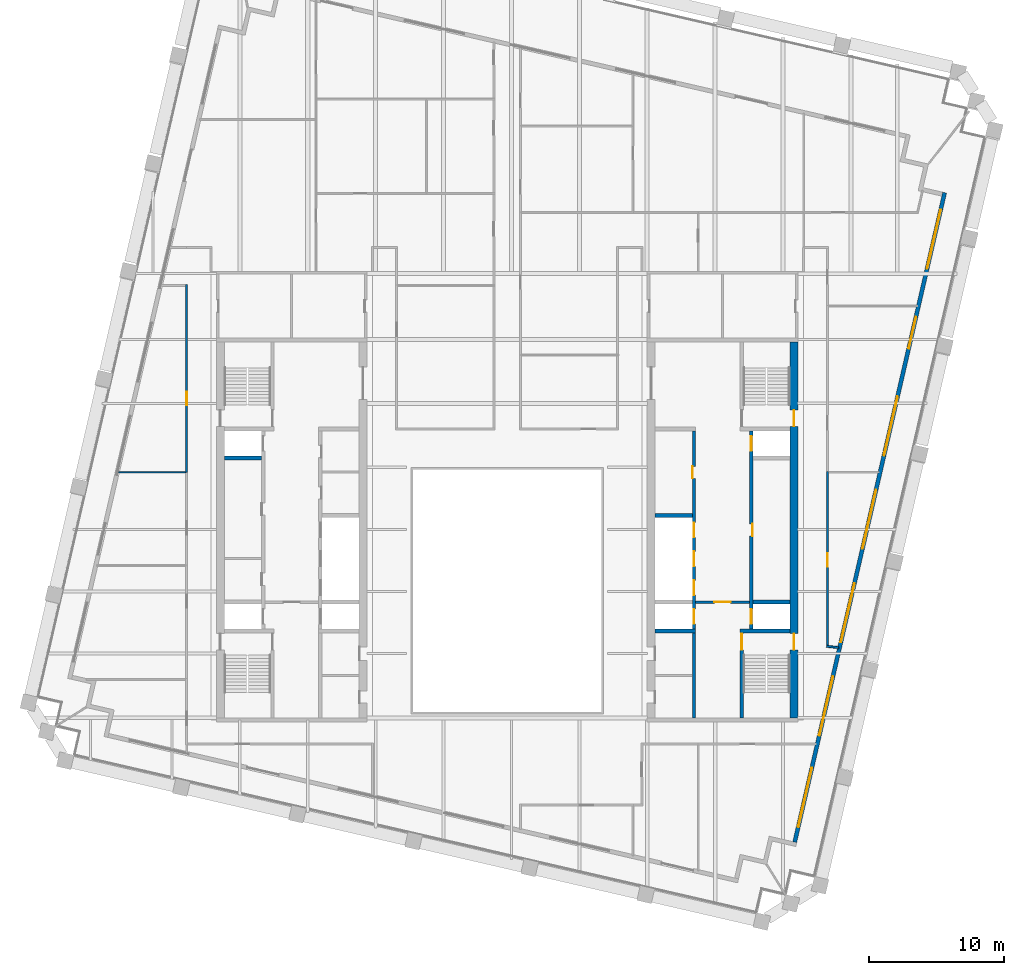
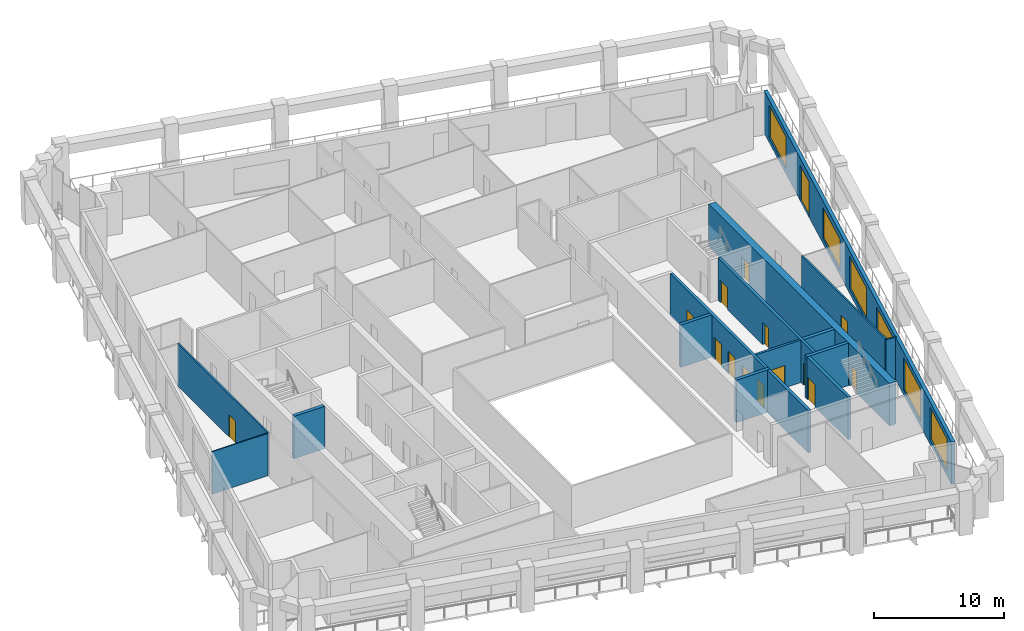
# One storey, part 5 of 10: 15 doors, 15 walls, 6 windows, 21 openings.
"""IFC4 building model written with IfcOpenShell, lengths in metres."""

from ifc_helpers import new_model, si_unit, direction, frame, frame_2d, origin, place, context, subcontext, project, spatial, rectangle, extrude, material, layer, layer_set, type_object, element, fill, save


model = new_model("IFC4")

# Units and contexts
model_context = context("Model", 3, precision=1e-05, world=origin(), true_north=direction((0.0, 1.0)))
body_context = subcontext(model_context, "Body", "Model", "MODEL_VIEW")
ifc_project = project(units=[si_unit("LENGTHUNIT", "METRE"), si_unit("AREAUNIT", "SQUARE_METRE"), si_unit("VOLUMEUNIT", "CUBIC_METRE"), si_unit("PLANEANGLEUNIT", "RADIAN"), si_unit("MASSUNIT", "GRAM", prefix="KILO")], contexts=[model_context])

# Site, building, storey
site_placement = place(None, origin())
site = spatial("IfcSite", under=ifc_project, at=site_placement, CompositionType="ELEMENT")
building_placement = place(site_placement, origin())
building = spatial("IfcBuilding", under=site, at=building_placement, Name="Ogive Exchange Tower", CompositionType="ELEMENT")
storey_placement = place(building_placement, frame((0.0, 0.0, 268.199951171875)))
storey = spatial("IfcBuildingStorey", under=building, at=storey_placement, Name="L58", CompositionType="ELEMENT", Elevation=268.199951171875)

# Wall, opening, door
ifc_material_1 = material(Name="Fire partition EI 60 150")
ifc_layer_1 = layer(ifc_material_1, 0.14990234375)
ifc_layer_set_1 = layer_set([ifc_layer_1], Name="Fire partition EI 60 150")
wall_type_1 = type_object("IfcWallType", Name="Fire partition EI 60 150", PredefinedType="PARTITIONING", material=ifc_layer_set_1)
wall_1_placement = place(storey_placement, frame((-23.800048828125, 15.7900390625, 0.0), z_axis=(0.0, 0.0, 1.0), x_axis=(0.0, 1.0, 0.0)))
wall_1 = element("IfcWall", 1, at=wall_1_placement, inside=storey, type_object=wall_type_1, Name="L58-PWL-008", PredefinedType="PARTITIONING", context=body_context, shape_type="SweptSolid", body=[
    extrude(rectangle(XDim=13.945068359375, YDim=0.14990234375, at=frame_2d((6.97265625, 0.0))), origin(), (0.0, 0.0, 1.0), 4.0),
])
opening_1_placement = place(wall_1_placement, frame((4.969970703125, 0.0, 0.0)))
opening_1 = element("IfcOpeningElement", 2, at=opening_1_placement, cuts=wall_1, Name="Opening L58-I22", PredefinedType="OPENING", context=body_context, shape_type="SweptSolid", body=[
    extrude(rectangle(XDim=1.0, YDim=2.10009765625, at=frame_2d((0.5, 1.050048828125))), frame((0.0, 0.0849609375, 0.0), z_axis=(0.0, -1.0, 0.0), x_axis=(1.0, 0.0, 0.0)), (0.0, 0.0, 1.0), 0.169921875),
])
ifc_material_2 = material(Name="Fire door FD 30S 1000 x 2100")
door_type_1 = type_object("IfcDoorType", Name="Fire door FD 30S 1000 x 2100", OperationType="NOTDEFINED", PredefinedType="DOOR", material=ifc_material_2)
door_1_placement = place(opening_1_placement, origin())
door_1 = element("IfcDoor", 3, at=door_1_placement, inside=storey, type_object=door_type_1, Name="L58-IDR-022", ObjectType="DT3", OperationType="SINGLE_SWING_LEFT", OverallHeight=2.10009765625, OverallWidth=1.0, PredefinedType="DOOR", context=body_context, shape_type="SweptSolid", body=[
    extrude(rectangle(XDim=1.0, YDim=2.10009765625, at=frame_2d((0.5, 1.050048828125))), frame((0.0, 0.02490234375, 0.0), z_axis=(0.0, -1.0, 0.0), x_axis=(1.0, 0.0, 0.0)), (0.0, 0.0, 1.0), 0.050048828125),
])
fill(opening_1, door_1)

# Wall
wall_2_placement = place(storey_placement, frame((23.72509765625, 2.868896484375, 0.0), z_axis=(0.0, 0.0, 1.0), x_axis=(0.993330469257, -0.115302119865, 0.0)))
element("IfcWall", 4, at=wall_2_placement, inside=storey, type_object=wall_type_1, Name="L58-PWL-065", PredefinedType="PARTITIONING", context=body_context, shape_type="SweptSolid", body=[
    extrude(rectangle(XDim=0.902099609375, YDim=0.14990234375, at=frame_2d((0.451171875, 0.0))), origin(), (0.0, 0.0, 1.0), 4.0),
])

# Wall, opening, door
wall_3_placement = place(storey_placement, frame((23.800048828125, 15.840087890625, 0.0), z_axis=(0.0, 0.0, 1.0), x_axis=(0.0, -1.0, 0.0)))
wall_3 = element("IfcWall", 5, at=wall_3_placement, inside=storey, type_object=wall_type_1, Name="L58-PWL-066", PredefinedType="PARTITIONING", context=body_context, shape_type="SweptSolid", body=[
    extrude(rectangle(XDim=12.905029296875, YDim=0.14990234375, at=frame_2d((6.45263671875, 0.0))), origin(), (0.0, 0.0, 1.0), 4.0),
])
opening_2_placement = place(wall_3_placement, frame((6.080078125, 0.0, 0.0)))
opening_2 = element("IfcOpeningElement", 6, at=opening_2_placement, cuts=wall_3, Name="Opening L58-I10", PredefinedType="OPENING", context=body_context, shape_type="SweptSolid", body=[
    extrude(rectangle(XDim=1.0, YDim=2.10009765625, at=frame_2d((0.5, 1.050048828125))), frame((0.0, 0.0849609375, 0.0), z_axis=(0.0, -1.0, 0.0), x_axis=(1.0, 0.0, 0.0)), (0.0, 0.0, 1.0), 0.169921875),
])
door_2_placement = place(opening_2_placement, origin())
door_2 = element("IfcDoor", 7, at=door_2_placement, inside=storey, type_object=door_type_1, Name="L58-IDR-010", ObjectType="DT3", OperationType="SINGLE_SWING_RIGHT", OverallHeight=2.10009765625, OverallWidth=1.0, PredefinedType="DOOR", context=body_context, shape_type="SweptSolid", body=[
    extrude(rectangle(XDim=1.0, YDim=2.10009765625, at=frame_2d((0.5, 1.050048828125))), frame((0.0, 0.02490234375, 0.0), z_axis=(0.0, -1.0, 0.0), x_axis=(1.0, 0.0, 0.0)), (0.0, 0.0, 1.0), 0.050048828125),
])
fill(opening_2, door_2)

# Wall, openings, door, windows
ifc_material_3 = material(Name="Precast concrete C40/50", Category="concrete")
ifc_layer_2 = layer(ifc_material_3, 0.300048828125)
ifc_layer_set_2 = layer_set([ifc_layer_2], Name="Limestone-faced wall 300")
wall_type_2 = type_object("IfcWallType", Name="Limestone-faced wall 300", PredefinedType="STANDARD", material=ifc_layer_set_2)
wall_4_placement = place(storey_placement, frame((21.35888671875, -11.67822265625, 0.0), z_axis=(0.0, 0.0, 1.0), x_axis=(0.224949198343, 0.974370493275, 0.0)))
wall_4 = element("IfcWall", 8, at=wall_4_placement, inside=storey, type_object=wall_type_2, Name="External wall E2", PredefinedType="STANDARD", context=body_context, shape_type="SweptSolid", body=[
    extrude(rectangle(XDim=49.5, YDim=0.300048828125, at=frame_2d((24.75, 0.0))), origin(), (0.0, 0.0, 1.0), 4.0),
])
opening_3_placement = place(wall_4_placement, frame((1.156982421875, 0.0, 0.449951171875)))
opening_3 = element("IfcOpeningElement", 9, at=opening_3_placement, cuts=wall_4, Name="Opening W1", PredefinedType="OPENING", context=body_context, shape_type="SweptSolid", body=[
    extrude(rectangle(XDim=4.5, YDim=3.050048828125, at=frame_2d((2.25, 1.52490234375))), frame((0.0, 0.159912109375, 0.0), z_axis=(0.0, -1.0, 0.0), x_axis=(1.0, 0.0, 0.0)), (0.0, 0.0, 1.0), 0.320068359375),
])
opening_4_placement = place(wall_4_placement, frame((8.121337890625, 0.0, 0.449951171875)))
opening_4 = element("IfcOpeningElement", 10, at=opening_4_placement, cuts=wall_4, Name="Opening W1", PredefinedType="OPENING", context=body_context, shape_type="SweptSolid", body=[
    extrude(rectangle(XDim=4.5, YDim=3.050048828125, at=frame_2d((2.25, 1.52490234375))), frame((0.0, 0.159912109375, 0.0), z_axis=(0.0, -1.0, 0.0), x_axis=(1.0, 0.0, 0.0)), (0.0, 0.0, 1.0), 0.320068359375),
])
opening_5_placement = place(wall_4_placement, frame((15.235595703125, 0.0, 0.449951171875)))
opening_5 = element("IfcOpeningElement", 11, at=opening_5_placement, cuts=wall_4, Name="Opening W1", PredefinedType="OPENING", context=body_context, shape_type="SweptSolid", body=[
    extrude(rectangle(XDim=4.5, YDim=3.050048828125, at=frame_2d((2.25, 1.52490234375))), frame((0.0, 0.159912109375, 0.0), z_axis=(0.0, -1.0, 0.0), x_axis=(1.0, 0.0, 0.0)), (0.0, 0.0, 1.0), 0.320068359375),
])
opening_6_placement = place(wall_4_placement, frame((22.35009765625, 0.0, 0.449951171875)))
opening_6 = element("IfcOpeningElement", 12, at=opening_6_placement, cuts=wall_4, Name="Opening W1", PredefinedType="OPENING", context=body_context, shape_type="SweptSolid", body=[
    extrude(rectangle(XDim=4.5, YDim=3.050048828125, at=frame_2d((2.25, 1.52490234375))), frame((0.0, 0.159912109375, 0.0), z_axis=(0.0, -1.0, 0.0), x_axis=(1.0, 0.0, 0.0)), (0.0, 0.0, 1.0), 0.320068359375),
])
opening_7_placement = place(wall_4_placement, frame((29.464111328125, 0.0, 0.449951171875)))
opening_7 = element("IfcOpeningElement", 13, at=opening_7_placement, cuts=wall_4, Name="Opening W1B", PredefinedType="OPENING", context=body_context, shape_type="SweptSolid", body=[
    extrude(rectangle(XDim=4.5, YDim=2.949951171875, at=frame_2d((2.25, 1.47509765625))), frame((0.0, 0.159912109375, 0.0), z_axis=(0.0, -1.0, 0.0), x_axis=(1.0, 0.0, 0.0)), (0.0, 0.0, 1.0), 0.320068359375),
])
opening_8_placement = place(wall_4_placement, frame((37.62841796875, 0.0, 0.0)))
opening_8 = element("IfcOpeningElement", 14, at=opening_8_placement, cuts=wall_4, Name="Opening D1C", PredefinedType="OPENING", context=body_context, shape_type="SweptSolid", body=[
    extrude(rectangle(XDim=2.39990234375, YDim=3.324951171875, at=frame_2d((1.199951171875, 1.66259765625))), frame((0.0, 0.159912109375, 0.0), z_axis=(0.0, -1.0, 0.0), x_axis=(1.0, 0.0, 0.0)), (0.0, 0.0, 1.0), 0.320068359375),
])
opening_9_placement = place(wall_4_placement, frame((43.69287109375, 0.0, 0.449951171875)))
opening_9 = element("IfcOpeningElement", 15, at=opening_9_placement, cuts=wall_4, Name="Opening W1", PredefinedType="OPENING", context=body_context, shape_type="SweptSolid", body=[
    extrude(rectangle(XDim=4.5, YDim=3.050048828125, at=frame_2d((2.25, 1.52490234375))), frame((0.0, 0.159912109375, 0.0), z_axis=(0.0, -1.0, 0.0), x_axis=(1.0, 0.0, 0.0)), (0.0, 0.0, 1.0), 0.320068359375),
])
ifc_material_4 = material(Name="Clear glass in bronze frame", Category="glass")
door_type_2 = type_object("IfcDoorType", Name="Sliding loggia door 2400 x 3325", OperationType="DOUBLE_DOOR_SLIDING", PredefinedType="DOOR", material=ifc_material_4)
door_3_placement = place(opening_8_placement, origin())
door_3 = element("IfcDoor", 16, at=door_3_placement, inside=storey, type_object=door_type_2, Name="Loggia door E05", OperationType="DOUBLE_DOOR_SLIDING", OverallHeight=3.324951171875, OverallWidth=2.39990234375, PredefinedType="DOOR", context=body_context, shape_type="SweptSolid", body=[
    extrude(rectangle(XDim=2.39990234375, YDim=3.324951171875, at=frame_2d((1.199951171875, 1.66259765625))), frame((0.0, 0.02490234375, 0.0), z_axis=(0.0, -1.0, 0.0), x_axis=(1.0, 0.0, 0.0)), (0.0, 0.0, 1.0), 0.050048828125),
])
fill(opening_8, door_3)
window_type_1 = type_object("IfcWindowType", Name="Twin lancet window 4500 x 2950", PartitioningType="DOUBLE_PANEL_VERTICAL", PredefinedType="WINDOW", material=ifc_material_4)
window_1_placement = place(opening_7_placement, origin())
window_1 = element("IfcWindow", 17, at=window_1_placement, inside=storey, type_object=window_type_1, Name="Window E04", OverallHeight=2.949951171875, OverallWidth=4.5, PartitioningType="DOUBLE_PANEL_VERTICAL", PredefinedType="WINDOW", context=body_context, shape_type="SweptSolid", body=[
    extrude(rectangle(XDim=4.5, YDim=2.949951171875, at=frame_2d((2.25, 1.47509765625))), frame((0.0, 0.030029296875, 0.0), z_axis=(0.0, -1.0, 0.0), x_axis=(1.0, 0.0, 0.0)), (0.0, 0.0, 1.0), 0.06005859375),
])
fill(opening_7, window_1)
window_type_2 = type_object("IfcWindowType", Name="Twin lancet window 4500 x 3050", PartitioningType="DOUBLE_PANEL_VERTICAL", PredefinedType="WINDOW", material=ifc_material_4)
window_2_placement = place(opening_3_placement, origin())
window_2 = element("IfcWindow", 18, at=window_2_placement, inside=storey, type_object=window_type_2, Name="Window E00", OverallHeight=3.050048828125, OverallWidth=4.5, PartitioningType="DOUBLE_PANEL_VERTICAL", PredefinedType="WINDOW", context=body_context, shape_type="SweptSolid", body=[
    extrude(rectangle(XDim=4.5, YDim=3.050048828125, at=frame_2d((2.25, 1.52490234375))), frame((0.0, 0.030029296875, 0.0), z_axis=(0.0, -1.0, 0.0), x_axis=(1.0, 0.0, 0.0)), (0.0, 0.0, 1.0), 0.06005859375),
])
fill(opening_3, window_2)
window_3_placement = place(opening_4_placement, origin())
window_3 = element("IfcWindow", 19, at=window_3_placement, inside=storey, type_object=window_type_2, Name="Window E01", OverallHeight=3.050048828125, OverallWidth=4.5, PartitioningType="DOUBLE_PANEL_VERTICAL", PredefinedType="WINDOW", context=body_context, shape_type="SweptSolid", body=[
    extrude(rectangle(XDim=4.5, YDim=3.050048828125, at=frame_2d((2.25, 1.52490234375))), frame((0.0, 0.030029296875, 0.0), z_axis=(0.0, -1.0, 0.0), x_axis=(1.0, 0.0, 0.0)), (0.0, 0.0, 1.0), 0.06005859375),
])
fill(opening_4, window_3)
window_4_placement = place(opening_5_placement, origin())
window_4 = element("IfcWindow", 20, at=window_4_placement, inside=storey, type_object=window_type_2, Name="Window E02", OverallHeight=3.050048828125, OverallWidth=4.5, PartitioningType="DOUBLE_PANEL_VERTICAL", PredefinedType="WINDOW", context=body_context, shape_type="SweptSolid", body=[
    extrude(rectangle(XDim=4.5, YDim=3.050048828125, at=frame_2d((2.25, 1.52490234375))), frame((0.0, 0.030029296875, 0.0), z_axis=(0.0, -1.0, 0.0), x_axis=(1.0, 0.0, 0.0)), (0.0, 0.0, 1.0), 0.06005859375),
])
fill(opening_5, window_4)
window_5_placement = place(opening_6_placement, origin())
window_5 = element("IfcWindow", 21, at=window_5_placement, inside=storey, type_object=window_type_2, Name="Window E03", OverallHeight=3.050048828125, OverallWidth=4.5, PartitioningType="DOUBLE_PANEL_VERTICAL", PredefinedType="WINDOW", context=body_context, shape_type="SweptSolid", body=[
    extrude(rectangle(XDim=4.5, YDim=3.050048828125, at=frame_2d((2.25, 1.52490234375))), frame((0.0, 0.030029296875, 0.0), z_axis=(0.0, -1.0, 0.0), x_axis=(1.0, 0.0, 0.0)), (0.0, 0.0, 1.0), 0.06005859375),
])
fill(opening_6, window_5)
window_6_placement = place(opening_9_placement, origin())
window_6 = element("IfcWindow", 22, at=window_6_placement, inside=storey, type_object=window_type_2, Name="Window E06", OverallHeight=3.050048828125, OverallWidth=4.5, PartitioningType="DOUBLE_PANEL_VERTICAL", PredefinedType="WINDOW", context=body_context, shape_type="SweptSolid", body=[
    extrude(rectangle(XDim=4.5, YDim=3.050048828125, at=frame_2d((2.25, 1.52490234375))), frame((0.0, 0.030029296875, 0.0), z_axis=(0.0, -1.0, 0.0), x_axis=(1.0, 0.0, 0.0)), (0.0, 0.0, 1.0), 0.06005859375),
])
fill(opening_9, window_6)

# Wall
ifc_material_5 = material(Name="Partition 100 gypsum")
ifc_layer_3 = layer(ifc_material_5, 0.10009765625)
ifc_layer_set_3 = layer_set([ifc_layer_3], Name="Partition 100 gypsum")
wall_type_3 = type_object("IfcWallType", Name="Partition 100 gypsum", PredefinedType="PARTITIONING", material=ifc_layer_set_3)
wall_5_placement = place(storey_placement, frame((-23.875, 15.7900390625, 0.0), z_axis=(0.0, 0.0, 1.0), x_axis=(-1.0, 0.0, 0.0)))
element("IfcWall", 23, at=wall_5_placement, inside=storey, type_object=wall_type_3, Name="L58-PWL-007", PredefinedType="PARTITIONING", context=body_context, shape_type="SweptSolid", body=[
    extrude(rectangle(XDim=5.0048828125, YDim=0.10009765625, at=frame_2d((2.50244140625, 0.0))), origin(), (0.0, 0.0, 1.0), 4.0),
])

# Wall, opening, door
ifc_material_6 = material(Name="Concrete C70/85", Category="concrete")
ifc_layer_4 = layer(ifc_material_6, 0.199951171875)
ifc_layer_set_4 = layer_set([ifc_layer_4], Name="RC core wall 200 C70/85")
wall_type_4 = type_object("IfcWallType", Name="RC core wall 200 C70/85", PredefinedType="SHEAR", material=ifc_layer_set_4)
wall_6_placement = place(storey_placement, frame((14.0, 6.142822265625, 0.0), z_axis=(0.0, 0.0, 1.0), x_axis=(1.0, 0.0, 0.0)))
wall_6 = element("IfcWall", 24, at=wall_6_placement, inside=storey, type_object=wall_type_4, Name="E firefighting lobby wall", PredefinedType="SHEAR", context=body_context, shape_type="SweptSolid", body=[
    extrude(rectangle(XDim=4.0, YDim=0.199951171875, at=frame_2d((2.0, 0.0))), origin(), (0.0, 0.0, 1.0), 4.0),
])
opening_10_placement = place(wall_6_placement, frame((1.39990234375, 0.0, 0.0)))
opening_10 = element("IfcOpeningElement", 25, at=opening_10_placement, cuts=wall_6, Name="Opening L58-C29", PredefinedType="OPENING", context=body_context, shape_type="SweptSolid", body=[
    extrude(rectangle(XDim=1.199951171875, YDim=2.10009765625, at=frame_2d((0.60009765625, 1.050048828125))), frame((0.0, 0.10986328125, 0.0), z_axis=(0.0, -1.0, 0.0), x_axis=(1.0, 0.0, 0.0)), (0.0, 0.0, 1.0), 0.219970703125),
])
ifc_material_7 = material(Name="Steel fire door", Category="steel")
door_type_3 = type_object("IfcDoorType", Name="Firefighting lobby door FD60 1200 x 2100", OperationType="NOTDEFINED", PredefinedType="DOOR", material=ifc_material_7)
door_4_placement = place(opening_10_placement, frame((1.199951171875, 0.0, 0.0), z_axis=(0.0, 0.0, 1.0), x_axis=(-1.0, 0.0, 0.0)))
door_4 = element("IfcDoor", 26, at=door_4_placement, inside=storey, type_object=door_type_3, Name="Firefighting lobby door", ObjectType="CD3", OperationType="SINGLE_SWING_RIGHT", OverallHeight=2.10009765625, OverallWidth=1.199951171875, PredefinedType="DOOR", context=body_context, shape_type="SweptSolid", body=[
    extrude(rectangle(XDim=1.199951171875, YDim=2.10009765625, at=frame_2d((0.60009765625, 1.050048828125))), frame((0.0, 0.02490234375, 0.0), z_axis=(0.0, -1.0, 0.0), x_axis=(1.0, 0.0, 0.0)), (0.0, 0.0, 1.0), 0.050048828125),
])
fill(opening_10, door_4)

ifc_layer_5 = layer(ifc_material_6, 0.25)
ifc_layer_set_5 = layer_set([ifc_layer_5], Name="RC core wall 250 C70/85")
wall_type_5 = type_object("IfcWallType", Name="RC core wall 250 C70/85", PredefinedType="SHEAR", material=ifc_layer_set_5)
wall_7_placement = place(storey_placement, frame((17.425048828125, -2.449951171875, 0.0), z_axis=(0.0, 0.0, 1.0), x_axis=(0.0, 1.0, 0.0)))
wall_7 = element("IfcWall", 27, at=wall_7_placement, inside=storey, type_object=wall_type_5, Name="E stair S front wall", PredefinedType="SHEAR", context=body_context, shape_type="SweptSolid", body=[
    extrude(rectangle(XDim=6.300048828125, YDim=0.25, at=frame_2d((3.14990234375, 0.0))), origin(), (0.0, 0.0, 1.0), 4.0),
])
opening_11_placement = place(wall_7_placement, frame((5.050048828125, 0.0, 0.0)))
opening_11 = element("IfcOpeningElement", 28, at=opening_11_placement, cuts=wall_7, Name="Opening L58-C31", PredefinedType="OPENING", context=body_context, shape_type="SweptSolid", body=[
    extrude(rectangle(XDim=1.199951171875, YDim=2.10009765625, at=frame_2d((0.60009765625, 1.050048828125))), frame((0.0, 0.135009765625, 0.0), z_axis=(0.0, -1.0, 0.0), x_axis=(1.0, 0.0, 0.0)), (0.0, 0.0, 1.0), 0.27001953125),
])
door_type_4 = type_object("IfcDoorType", Name="Stair door FD90 1200 x 2100", OperationType="NOTDEFINED", PredefinedType="DOOR", material=ifc_material_7)
door_5_placement = place(opening_11_placement, frame((1.199951171875, 0.0, 0.0), z_axis=(0.0, 0.0, 1.0), x_axis=(-1.0, 0.0, 0.0)))
door_5 = element("IfcDoor", 29, at=door_5_placement, inside=storey, type_object=door_type_4, Name="Stair door", ObjectType="CD5", OperationType="SINGLE_SWING_RIGHT", OverallHeight=2.10009765625, OverallWidth=1.199951171875, PredefinedType="DOOR", context=body_context, shape_type="SweptSolid", body=[
    extrude(rectangle(XDim=1.199951171875, YDim=2.10009765625, at=frame_2d((0.60009765625, 1.050048828125))), frame((0.0, 0.02490234375, 0.0), z_axis=(0.0, -1.0, 0.0), x_axis=(1.0, 0.0, 0.0)), (0.0, 0.0, 1.0), 0.050048828125),
])
fill(opening_11, door_5)

# Wall, openings, doors
wall_8_placement = place(storey_placement, frame((18.125, 4.14990234375, 0.0), z_axis=(0.0, 0.0, 1.0), x_axis=(0.0, 1.0, 0.0)))
wall_8 = element("IfcWall", 30, at=wall_8_placement, inside=storey, type_object=wall_type_5, Name="E row A front wall", PredefinedType="SHEAR", context=body_context, shape_type="SweptSolid", body=[
    extrude(rectangle(XDim=14.7001953125, YDim=0.25, at=frame_2d((7.35009765625, 0.0))), origin(), (0.0, 0.0, 1.0), 4.0),
])
opening_12_placement = place(wall_8_placement, frame((6.89990234375, 0.0, 0.0)))
opening_12 = element("IfcOpeningElement", 31, at=opening_12_placement, cuts=wall_8, Name="Opening L58-C21", PredefinedType="OPENING", context=body_context, shape_type="SweptSolid", body=[
    extrude(rectangle(XDim=0.89990234375, YDim=2.10009765625, at=frame_2d((0.449951171875, 1.050048828125))), frame((0.0, 0.135009765625, 0.0), z_axis=(0.0, -1.0, 0.0), x_axis=(1.0, 0.0, 0.0)), (0.0, 0.0, 1.0), 0.27001953125),
])
opening_13_placement = place(wall_8_placement, frame((0.371337890625, 0.0, 0.0)))
opening_13 = element("IfcOpeningElement", 32, at=opening_13_placement, cuts=wall_8, Name="Opening L58-C22", PredefinedType="OPENING", context=body_context, shape_type="SweptSolid", body=[
    extrude(rectangle(XDim=1.10009765625, YDim=2.10009765625, at=frame_2d((0.550048828125, 1.050048828125))), frame((0.0, 0.135009765625, 0.0), z_axis=(0.0, -1.0, 0.0), x_axis=(1.0, 0.0, 0.0)), (0.0, 0.0, 1.0), 0.27001953125),
])
opening_14_placement = place(wall_8_placement, frame((13.228515625, 0.0, 0.0)))
opening_14 = element("IfcOpeningElement", 33, at=opening_14_placement, cuts=wall_8, Name="Opening L58-C23", PredefinedType="OPENING", context=body_context, shape_type="SweptSolid", body=[
    extrude(rectangle(XDim=1.10009765625, YDim=2.10009765625, at=frame_2d((0.550048828125, 1.050048828125))), frame((0.0, 0.135009765625, 0.0), z_axis=(0.0, -1.0, 0.0), x_axis=(1.0, 0.0, 0.0)), (0.0, 0.0, 1.0), 0.27001953125),
])
ifc_material_8 = material(Name="Stainless steel", Category="steel")
door_type_5 = type_object("IfcDoorType", Name="Lift landing door FD90 1100 x 2100", OperationType="SLIDING_TO_LEFT", PredefinedType="DOOR", material=ifc_material_8)
door_6_placement = place(opening_13_placement, origin())
door_6 = element("IfcDoor", 34, at=door_6_placement, inside=storey, type_object=door_type_5, Name="Lift landing door FF2", ObjectType="LD", OperationType="SLIDING_TO_LEFT", OverallHeight=2.10009765625, OverallWidth=1.10009765625, PredefinedType="DOOR", context=body_context, shape_type="SweptSolid", body=[
    extrude(rectangle(XDim=1.10009765625, YDim=2.10009765625, at=frame_2d((0.550048828125, 1.050048828125))), frame((0.0, 0.02490234375, 0.0), z_axis=(0.0, -1.0, 0.0), x_axis=(1.0, 0.0, 0.0)), (0.0, 0.0, 1.0), 0.050048828125),
])
fill(opening_13, door_6)
door_7_placement = place(opening_14_placement, origin())
door_7 = element("IfcDoor", 35, at=door_7_placement, inside=storey, type_object=door_type_5, Name="Lift landing door E-SH2", ObjectType="LD", OperationType="SLIDING_TO_LEFT", OverallHeight=2.10009765625, OverallWidth=1.10009765625, PredefinedType="DOOR", context=body_context, shape_type="SweptSolid", body=[
    extrude(rectangle(XDim=1.10009765625, YDim=2.10009765625, at=frame_2d((0.550048828125, 1.050048828125))), frame((0.0, 0.02490234375, 0.0), z_axis=(0.0, -1.0, 0.0), x_axis=(1.0, 0.0, 0.0)), (0.0, 0.0, 1.0), 0.050048828125),
])
fill(opening_14, door_7)
door_type_6 = type_object("IfcDoorType", Name="Riser door FD60 900 x 2100", OperationType="NOTDEFINED", PredefinedType="DOOR", material=ifc_material_7)
door_8_placement = place(opening_12_placement, frame((0.89990234375, -0.2001953125, 0.0), z_axis=(0.0, 0.0, 1.0), x_axis=(-1.0, 0.0, 0.0)))
door_8 = element("IfcDoor", 36, at=door_8_placement, inside=storey, type_object=door_type_6, Name="Riser door", ObjectType="CD2", OperationType="SINGLE_SWING_RIGHT", OverallHeight=2.10009765625, OverallWidth=0.89990234375, PredefinedType="DOOR", context=body_context, shape_type="SweptSolid", body=[
    extrude(rectangle(XDim=0.89990234375, YDim=2.10009765625, at=frame_2d((0.449951171875, 1.050048828125))), frame((0.0, -0.0751953125, 0.0), z_axis=(0.0, -1.0, 0.0), x_axis=(1.0, 0.0, 0.0)), (0.0, 0.0, 1.0), 0.050048828125),
])
fill(opening_12, door_8)

wall_9_placement = place(storey_placement, frame((13.875, -2.449951171875, 0.0), z_axis=(0.0, 0.0, 1.0), x_axis=(0.0, 1.0, 0.0)))
wall_9 = element("IfcWall", 37, at=wall_9_placement, inside=storey, type_object=wall_type_5, Name="E row B front wall", PredefinedType="SHEAR", context=body_context, shape_type="SweptSolid", body=[
    extrude(rectangle(XDim=21.300048828125, YDim=0.25, at=frame_2d((10.64990234375, 0.0))), origin(), (0.0, 0.0, 1.0), 4.0),
])
opening_15_placement = place(wall_9_placement, frame((17.78564453125, 0.0, 0.0)))
opening_15 = element("IfcOpeningElement", 38, at=opening_15_placement, cuts=wall_9, Name="Opening L58-C24", PredefinedType="OPENING", context=body_context, shape_type="SweptSolid", body=[
    extrude(rectangle(XDim=0.89990234375, YDim=2.10009765625, at=frame_2d((0.449951171875, 1.050048828125))), frame((0.0, 0.135009765625, 0.0), z_axis=(0.0, -1.0, 0.0), x_axis=(1.0, 0.0, 0.0)), (0.0, 0.0, 1.0), 0.27001953125),
])
opening_16_placement = place(wall_9_placement, frame((6.971435546875, 0.0, 0.0)))
opening_16 = element("IfcOpeningElement", 39, at=opening_16_placement, cuts=wall_9, Name="Opening L58-C25", PredefinedType="OPENING", context=body_context, shape_type="SweptSolid", body=[
    extrude(rectangle(XDim=1.10009765625, YDim=2.10009765625, at=frame_2d((0.550048828125, 1.050048828125))), frame((0.0, 0.135009765625, 0.0), z_axis=(0.0, -1.0, 0.0), x_axis=(1.0, 0.0, 0.0)), (0.0, 0.0, 1.0), 0.27001953125),
])
opening_17_placement = place(wall_9_placement, frame((9.1142578125, 0.0, 0.0)))
opening_17 = element("IfcOpeningElement", 40, at=opening_17_placement, cuts=wall_9, Name="Opening L58-C26", PredefinedType="OPENING", context=body_context, shape_type="SweptSolid", body=[
    extrude(rectangle(XDim=1.10009765625, YDim=2.10009765625, at=frame_2d((0.550048828125, 1.050048828125))), frame((0.0, 0.135009765625, 0.0), z_axis=(0.0, -1.0, 0.0), x_axis=(1.0, 0.0, 0.0)), (0.0, 0.0, 1.0), 0.27001953125),
])
opening_18_placement = place(wall_9_placement, frame((11.257080078125, 0.0, 0.0)))
opening_18 = element("IfcOpeningElement", 41, at=opening_18_placement, cuts=wall_9, Name="Opening L58-C27", PredefinedType="OPENING", context=body_context, shape_type="SweptSolid", body=[
    extrude(rectangle(XDim=1.10009765625, YDim=2.10009765625, at=frame_2d((0.550048828125, 1.050048828125))), frame((0.0, 0.135009765625, 0.0), z_axis=(0.0, -1.0, 0.0), x_axis=(1.0, 0.0, 0.0)), (0.0, 0.0, 1.0), 0.27001953125),
])
opening_19_placement = place(wall_9_placement, frame((13.39990234375, 0.0, 0.0)))
opening_19 = element("IfcOpeningElement", 42, at=opening_19_placement, cuts=wall_9, Name="Opening L58-C28", PredefinedType="OPENING", context=body_context, shape_type="SweptSolid", body=[
    extrude(rectangle(XDim=1.10009765625, YDim=2.10009765625, at=frame_2d((0.550048828125, 1.050048828125))), frame((0.0, 0.135009765625, 0.0), z_axis=(0.0, -1.0, 0.0), x_axis=(1.0, 0.0, 0.0)), (0.0, 0.0, 1.0), 0.27001953125),
])
door_9_placement = place(opening_16_placement, origin())
door_9 = element("IfcDoor", 43, at=door_9_placement, inside=storey, type_object=door_type_5, Name="Lift landing door SV2", ObjectType="LD", OperationType="SLIDING_TO_LEFT", OverallHeight=2.10009765625, OverallWidth=1.10009765625, PredefinedType="DOOR", context=body_context, shape_type="SweptSolid", body=[
    extrude(rectangle(XDim=1.10009765625, YDim=2.10009765625, at=frame_2d((0.550048828125, 1.050048828125))), frame((0.0, 0.02490234375, 0.0), z_axis=(0.0, -1.0, 0.0), x_axis=(1.0, 0.0, 0.0)), (0.0, 0.0, 1.0), 0.050048828125),
])
fill(opening_16, door_9)
door_10_placement = place(opening_17_placement, origin())
door_10 = element("IfcDoor", 44, at=door_10_placement, inside=storey, type_object=door_type_5, Name="Lift landing door E-M1", ObjectType="LD", OperationType="SLIDING_TO_LEFT", OverallHeight=2.10009765625, OverallWidth=1.10009765625, PredefinedType="DOOR", context=body_context, shape_type="SweptSolid", body=[
    extrude(rectangle(XDim=1.10009765625, YDim=2.10009765625, at=frame_2d((0.550048828125, 1.050048828125))), frame((0.0, 0.02490234375, 0.0), z_axis=(0.0, -1.0, 0.0), x_axis=(1.0, 0.0, 0.0)), (0.0, 0.0, 1.0), 0.050048828125),
])
fill(opening_17, door_10)
door_11_placement = place(opening_18_placement, origin())
door_11 = element("IfcDoor", 45, at=door_11_placement, inside=storey, type_object=door_type_5, Name="Lift landing door E-M2", ObjectType="LD", OperationType="SLIDING_TO_LEFT", OverallHeight=2.10009765625, OverallWidth=1.10009765625, PredefinedType="DOOR", context=body_context, shape_type="SweptSolid", body=[
    extrude(rectangle(XDim=1.10009765625, YDim=2.10009765625, at=frame_2d((0.550048828125, 1.050048828125))), frame((0.0, 0.02490234375, 0.0), z_axis=(0.0, -1.0, 0.0), x_axis=(1.0, 0.0, 0.0)), (0.0, 0.0, 1.0), 0.050048828125),
])
fill(opening_18, door_11)
door_12_placement = place(opening_19_placement, origin())
door_12 = element("IfcDoor", 46, at=door_12_placement, inside=storey, type_object=door_type_5, Name="Lift landing door E-M3", ObjectType="LD", OperationType="SLIDING_TO_LEFT", OverallHeight=2.10009765625, OverallWidth=1.10009765625, PredefinedType="DOOR", context=body_context, shape_type="SweptSolid", body=[
    extrude(rectangle(XDim=1.10009765625, YDim=2.10009765625, at=frame_2d((0.550048828125, 1.050048828125))), frame((0.0, 0.02490234375, 0.0), z_axis=(0.0, -1.0, 0.0), x_axis=(1.0, 0.0, 0.0)), (0.0, 0.0, 1.0), 0.050048828125),
])
fill(opening_19, door_12)
door_13_placement = place(opening_15_placement, origin())
door_13 = element("IfcDoor", 47, at=door_13_placement, inside=storey, type_object=door_type_6, Name="Riser door", ObjectType="CD2", OperationType="SINGLE_SWING_RIGHT", OverallHeight=2.10009765625, OverallWidth=0.89990234375, PredefinedType="DOOR", context=body_context, shape_type="SweptSolid", body=[
    extrude(rectangle(XDim=0.89990234375, YDim=2.10009765625, at=frame_2d((0.449951171875, 1.050048828125))), frame((0.0, 0.125, 0.0), z_axis=(0.0, -1.0, 0.0), x_axis=(1.0, 0.0, 0.0)), (0.0, 0.0, 1.0), 0.050048828125),
])
fill(opening_15, door_13)

# Walls
ifc_layer_6 = layer(ifc_material_6, 0.300048828125)
ifc_layer_set_6 = layer_set([ifc_layer_6], Name="RC core wall 300 C70/85")
wall_type_6 = type_object("IfcWallType", Name="RC core wall 300 C70/85", PredefinedType="SHEAR", material=ifc_layer_set_6)
wall_10_placement = place(storey_placement, frame((-21.0, 16.857177734375, 0.0), z_axis=(0.0, 0.0, 1.0), x_axis=(1.0, 0.0, 0.0)))
element("IfcWall", 48, at=wall_10_placement, inside=storey, type_object=wall_type_6, Name="W row A divider 6", PredefinedType="SHEAR", context=body_context, shape_type="SweptSolid", body=[
    extrude(rectangle(XDim=2.75, YDim=0.300048828125, at=frame_2d((1.375, 0.0))), origin(), (0.0, 0.0, 1.0), 4.0),
])
wall_11_placement = place(storey_placement, frame((17.300048828125, 4.0, 0.0), z_axis=(0.0, 0.0, 1.0), x_axis=(1.0, 0.0, 0.0)))
element("IfcWall", 49, at=wall_11_placement, inside=storey, type_object=wall_type_6, Name="E stair S north wall", PredefinedType="SHEAR", context=body_context, shape_type="SweptSolid", body=[
    extrude(rectangle(XDim=3.699951171875, YDim=0.300048828125, at=frame_2d((1.85009765625, 0.0))), origin(), (0.0, 0.0, 1.0), 4.0),
])
wall_12_placement = place(storey_placement, frame((18.25, 6.142822265625, 0.0), z_axis=(0.0, 0.0, 1.0), x_axis=(1.0, 0.0, 0.0)))
element("IfcWall", 50, at=wall_12_placement, inside=storey, type_object=wall_type_6, Name="E row A divider 1", PredefinedType="SHEAR", context=body_context, shape_type="SweptSolid", body=[
    extrude(rectangle(XDim=2.75, YDim=0.300048828125, at=frame_2d((1.375, 0.0))), origin(), (0.0, 0.0, 1.0), 4.0),
])
wall_13_placement = place(storey_placement, frame((11.0, 4.0, 0.0), z_axis=(0.0, 0.0, 1.0), x_axis=(1.0, 0.0, 0.0)))
element("IfcWall", 51, at=wall_13_placement, inside=storey, type_object=wall_type_6, Name="E row B divider 0", PredefinedType="SHEAR", context=body_context, shape_type="SweptSolid", body=[
    extrude(rectangle(XDim=3.0, YDim=0.300048828125, at=frame_2d((1.5, 0.0))), origin(), (0.0, 0.0, 1.0), 4.0),
])
wall_14_placement = place(storey_placement, frame((11.0, 12.5712890625, 0.0), z_axis=(0.0, 0.0, 1.0), x_axis=(1.0, 0.0, 0.0)))
element("IfcWall", 52, at=wall_14_placement, inside=storey, type_object=wall_type_6, Name="E row B divider 4", PredefinedType="SHEAR", context=body_context, shape_type="SweptSolid", body=[
    extrude(rectangle(XDim=2.75, YDim=0.300048828125, at=frame_2d((1.375, 0.0))), origin(), (0.0, 0.0, 1.0), 4.0),
])

# Wall, openings, doors
ifc_layer_7 = layer(ifc_material_6, 0.60009765625)
ifc_layer_set_7 = layer_set([ifc_layer_7], Name="RC core wall 600 C70/85")
wall_type_7 = type_object("IfcWallType", Name="RC core wall 600 C70/85", PredefinedType="SHEAR", material=ifc_layer_set_7)
wall_15_placement = place(storey_placement, frame((21.300048828125, -2.449951171875, 0.0), z_axis=(0.0, 0.0, 1.0), x_axis=(0.0, 1.0, 0.0)))
wall_15 = element("IfcWall", 53, at=wall_15_placement, inside=storey, type_object=wall_type_7, Name="E outer wall", PredefinedType="SHEAR", context=body_context, shape_type="SweptSolid", body=[
    extrude(rectangle(XDim=27.89990234375, YDim=0.60009765625, at=frame_2d((13.949951171875, 0.0))), origin(), (0.0, 0.0, 1.0), 4.0),
])
opening_20_placement = place(wall_15_placement, frame((5.050048828125, 0.0, 0.0)))
opening_20 = element("IfcOpeningElement", 54, at=opening_20_placement, cuts=wall_15, Name="Opening L58-C32", PredefinedType="OPENING", context=body_context, shape_type="SweptSolid", body=[
    extrude(rectangle(XDim=1.199951171875, YDim=2.10009765625, at=frame_2d((0.60009765625, 1.050048828125))), frame((0.0, 0.31005859375, 0.0), z_axis=(0.0, -1.0, 0.0), x_axis=(1.0, 0.0, 0.0)), (0.0, 0.0, 1.0), 0.6201171875),
])
opening_21_placement = place(wall_15_placement, frame((21.64990234375, 0.0, 0.0)))
opening_21 = element("IfcOpeningElement", 55, at=opening_21_placement, cuts=wall_15, Name="Opening L58-C34", PredefinedType="OPENING", context=body_context, shape_type="SweptSolid", body=[
    extrude(rectangle(XDim=1.199951171875, YDim=2.10009765625, at=frame_2d((0.60009765625, 1.050048828125))), frame((0.0, 0.31005859375, 0.0), z_axis=(0.0, -1.0, 0.0), x_axis=(1.0, 0.0, 0.0)), (0.0, 0.0, 1.0), 0.6201171875),
])
door_14_placement = place(opening_20_placement, frame((1.199951171875, 0.0, 0.0), z_axis=(0.0, 0.0, 1.0), x_axis=(-1.0, 0.0, 0.0)))
door_14 = element("IfcDoor", 56, at=door_14_placement, inside=storey, type_object=door_type_4, Name="Stair door", ObjectType="CD5", OperationType="SINGLE_SWING_LEFT", OverallHeight=2.10009765625, OverallWidth=1.199951171875, PredefinedType="DOOR", context=body_context, shape_type="SweptSolid", body=[
    extrude(rectangle(XDim=1.199951171875, YDim=2.10009765625, at=frame_2d((0.60009765625, 1.050048828125))), frame((0.0, 0.02490234375, 0.0), z_axis=(0.0, -1.0, 0.0), x_axis=(1.0, 0.0, 0.0)), (0.0, 0.0, 1.0), 0.050048828125),
])
fill(opening_20, door_14)
door_15_placement = place(opening_21_placement, frame((1.199951171875, 0.0, 0.0), z_axis=(0.0, 0.0, 1.0), x_axis=(-1.0, 0.0, 0.0)))
door_15 = element("IfcDoor", 57, at=door_15_placement, inside=storey, type_object=door_type_4, Name="Stair door", ObjectType="CD5", OperationType="SINGLE_SWING_RIGHT", OverallHeight=2.10009765625, OverallWidth=1.199951171875, PredefinedType="DOOR", context=body_context, shape_type="SweptSolid", body=[
    extrude(rectangle(XDim=1.199951171875, YDim=2.10009765625, at=frame_2d((0.60009765625, 1.050048828125))), frame((0.0, 0.02490234375, 0.0), z_axis=(0.0, -1.0, 0.0), x_axis=(1.0, 0.0, 0.0)), (0.0, 0.0, 1.0), 0.050048828125),
])
fill(opening_21, door_15)

save(model, "model.ifc")
